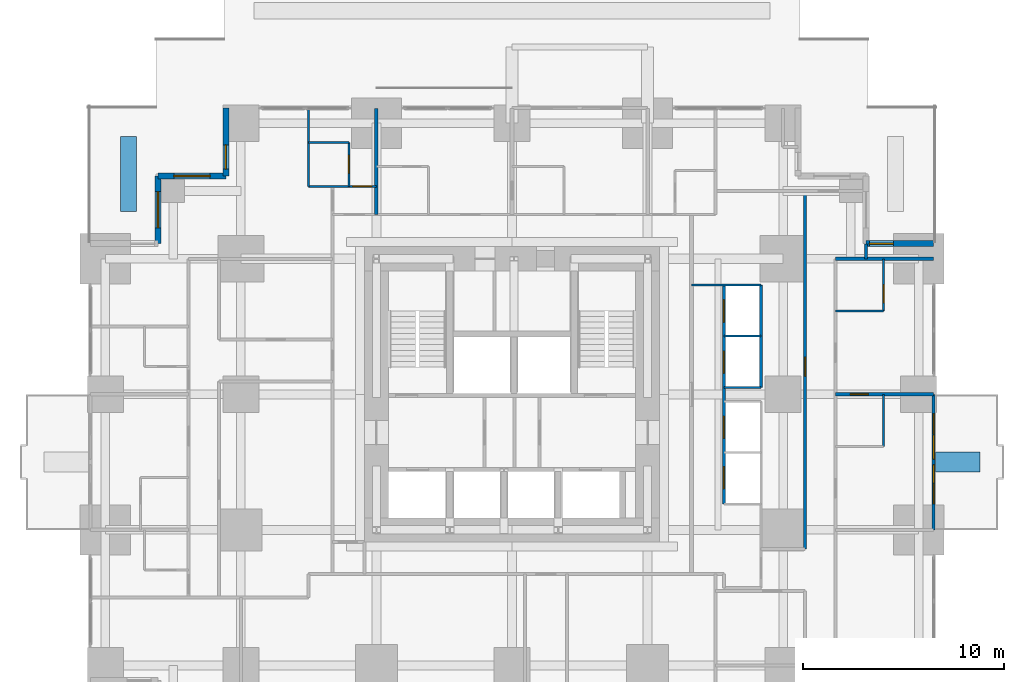
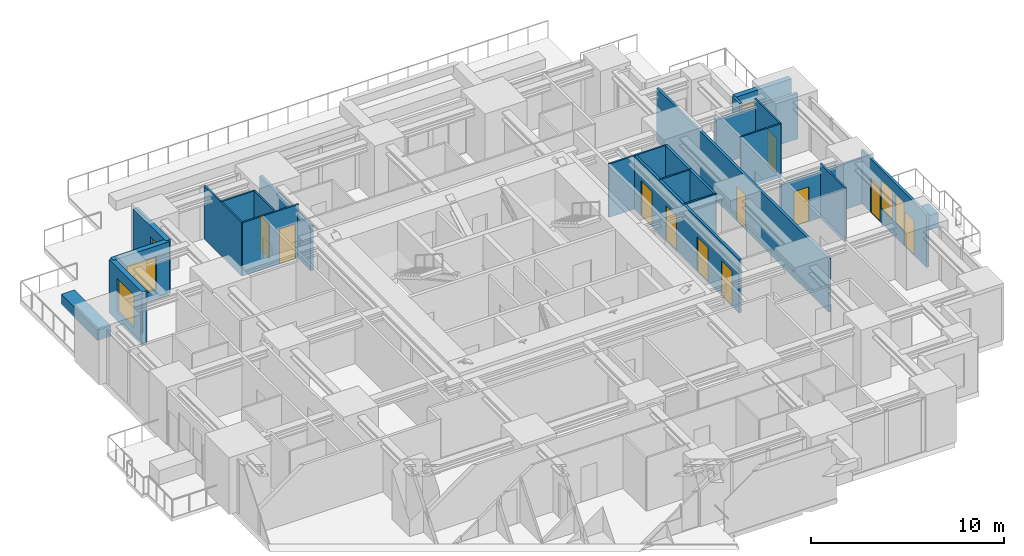
# One storey, part 9 of 12: 24 walls, 11 doors, 6 windows, 17 openings.
"""IFC4 building model written with IfcOpenShell, lengths in metres."""

from ifc_helpers import new_model, si_unit, direction, frame, frame_2d, origin, place, context, subcontext, project, spatial, rectangle, extrude, material, layer, layer_set, type_object, element, fill, save


model = new_model("IFC4")

# Units and contexts
model_context = context("Model", 3, precision=1e-05, world=origin(), true_north=direction((0.0, 1.0)))
body_context = subcontext(model_context, "Body", "Model", "MODEL_VIEW")
ifc_project = project(units=[si_unit("LENGTHUNIT", "METRE"), si_unit("AREAUNIT", "SQUARE_METRE"), si_unit("VOLUMEUNIT", "CUBIC_METRE"), si_unit("PLANEANGLEUNIT", "RADIAN"), si_unit("MASSUNIT", "GRAM", prefix="KILO")], contexts=[model_context])

# Site, building, storey
site_placement = place(None, origin())
site = spatial("IfcSite", under=ifc_project, at=site_placement, CompositionType="ELEMENT")
building_placement = place(site_placement, origin())
building = spatial("IfcBuilding", under=site, at=building_placement, Name="Nyansa Garden Tower", CompositionType="ELEMENT")
storey_placement = place(building_placement, frame((0.0, 0.0, 80.10009765625)))
storey = spatial("IfcBuildingStorey", under=building, at=storey_placement, Name="L21", CompositionType="ELEMENT", Elevation=80.10009765625)

# Wall
ifc_material_1 = material(Name="Dense blockwork, plastered both sides, 55 dB", Category="masonry")
ifc_layer_1 = layer(ifc_material_1, 0.175048828125)
ifc_layer_set_1 = layer_set([ifc_layer_1], Name="Acoustic party wall PW175")
wall_type_1 = type_object("IfcWallType", Name="Acoustic party wall PW175", PredefinedType="PARTITIONING", material=ifc_layer_set_1)
wall_1_placement = place(storey_placement, frame((13.5, 29.199951171875, 0.0), z_axis=(0.0, 0.0, 1.0), x_axis=(0.0, 1.0, 0.0)))
element("IfcWall", 1, at=wall_1_placement, inside=storey, type_object=wall_type_1, Name="Party wall", PredefinedType="PARTITIONING", context=body_context, shape_type="SweptSolid", body=[
    extrude(rectangle(XDim=5.283935546875, YDim=0.175048828125, at=frame_2d((2.64208984375, 0.0))), origin(), (0.0, 0.0, 1.0), 2.805908203125),
])

# Wall, opening, door
wall_2_placement = place(storey_placement, frame((36.35009765625, 20.25, 0.0), z_axis=(0.0, 0.0, 1.0), x_axis=(1.0, 0.0, 0.0)))
wall_2 = element("IfcWall", 2, at=wall_2_placement, inside=storey, type_object=wall_type_1, Name="Party wall", PredefinedType="PARTITIONING", context=body_context, shape_type="SweptSolid", body=[
    extrude(rectangle(XDim=4.8837890625, YDim=0.175048828125, at=frame_2d((2.44189453125, 0.0))), origin(), (0.0, 0.0, 1.0), 2.876953125),
])
opening_1_placement = place(wall_2_placement, frame((0.75, 0.0, 0.0)))
opening_1 = element("IfcOpeningElement", 3, at=opening_1_placement, cuts=wall_2, Name="Opening D02", PredefinedType="OPENING", context=body_context, shape_type="SweptSolid", body=[
    extrude(rectangle(XDim=0.89990234375, YDim=2.199951171875, at=frame_2d((0.449951171875, 1.10009765625))), frame((0.0, 0.097412109375, 0.0), z_axis=(0.0, -1.0, 0.0), x_axis=(1.0, 0.0, 0.0)), (0.0, 0.0, 1.0), 0.195068359375),
])
ifc_material_2 = material(Name="Timber flush door", Category="wood")
door_type_1 = type_object("IfcDoorType", Name="En-suite door D02 900x2200", OperationType="SINGLE_SWING_RIGHT", PredefinedType="DOOR", material=ifc_material_2)
door_1_placement = place(opening_1_placement, origin())
door_1 = element("IfcDoor", 4, at=door_1_placement, inside=storey, type_object=door_type_1, Name="Door L21-034", OperationType="SINGLE_SWING_RIGHT", OverallHeight=2.199951171875, OverallWidth=0.89990234375, PredefinedType="DOOR", context=body_context, shape_type="SweptSolid", body=[
    extrude(rectangle(XDim=0.89990234375, YDim=2.199951171875, at=frame_2d((0.449951171875, 1.10009765625))), frame((0.0, 0.02490234375, 0.0), z_axis=(0.0, -1.0, 0.0), x_axis=(1.0, 0.0, 0.0)), (0.0, 0.0, 1.0), 0.050048828125),
])
fill(opening_1, door_1)

# Wall
wall_3_placement = place(storey_placement, frame((36.35009765625, 27.0, 0.0), z_axis=(0.0, 0.0, 1.0), x_axis=(1.0, 0.0, 0.0)))
element("IfcWall", 5, at=wall_3_placement, inside=storey, type_object=wall_type_1, Name="Party wall", PredefinedType="PARTITIONING", context=body_context, shape_type="SweptSolid", body=[
    extrude(rectangle(XDim=4.8837890625, YDim=0.175048828125, at=frame_2d((2.44189453125, 0.0))), origin(), (0.0, 0.0, 1.0), 2.876953125),
])

# Wall, openings, doors, windows
ifc_material_3 = material(Name="Black aluminium framed glazed screen", Category="aluminium")
ifc_layer_2 = layer(ifc_material_3, 0.14990234375)
ifc_layer_set_2 = layer_set([ifc_layer_2], Name="Balcony screen wall BW150")
wall_type_2 = type_object("IfcWallType", Name="Balcony screen wall BW150", PredefinedType="SOLIDWALL", material=ifc_layer_set_2)
wall_4_placement = place(storey_placement, frame((41.25, 20.25, 0.0), z_axis=(0.0, 0.0, 1.0), x_axis=(0.0, -1.0, 0.0)))
wall_4 = element("IfcWall", 6, at=wall_4_placement, inside=storey, type_object=wall_type_2, Name="Glazed screen wall L21 E", PredefinedType="SOLIDWALL", context=body_context, shape_type="SweptSolid", body=[
    extrude(rectangle(XDim=6.75, YDim=0.14990234375, at=frame_2d((3.375, 0.0))), origin(), (0.0, 0.0, 1.0), 3.375),
])
opening_2_placement = place(wall_4_placement, frame((0.96240234375, 0.0, 0.0)))
opening_2 = element("IfcOpeningElement", 7, at=opening_2_placement, cuts=wall_4, Name="Opening D20", PredefinedType="OPENING", context=body_context, shape_type="SweptSolid", body=[
    extrude(rectangle(XDim=1.0, YDim=2.199951171875, at=frame_2d((0.5, 1.10009765625))), frame((0.0, 0.0849609375, 0.0), z_axis=(0.0, -1.0, 0.0), x_axis=(1.0, 0.0, 0.0)), (0.0, 0.0, 1.0), 0.169921875),
])
opening_3_placement = place(wall_4_placement, frame((2.02490234375, 0.0, 0.89990234375)))
opening_3 = element("IfcOpeningElement", 8, at=opening_3_placement, cuts=wall_4, Name="Opening W6", PredefinedType="OPENING", context=body_context, shape_type="SweptSolid", body=[
    extrude(rectangle(XDim=1.199951171875, YDim=1.800048828125, at=frame_2d((0.60009765625, 0.89990234375))), frame((0.0, 0.0849609375, 0.0), z_axis=(0.0, -1.0, 0.0), x_axis=(1.0, 0.0, 0.0)), (0.0, 0.0, 1.0), 0.169921875),
])
opening_4_placement = place(wall_4_placement, frame((4.4541015625, 0.0, 0.0)))
opening_4 = element("IfcOpeningElement", 9, at=opening_4_placement, cuts=wall_4, Name="Opening D20", PredefinedType="OPENING", context=body_context, shape_type="SweptSolid", body=[
    extrude(rectangle(XDim=1.0, YDim=2.199951171875, at=frame_2d((0.5, 1.10009765625))), frame((0.0, 0.0849609375, 0.0), z_axis=(0.0, -1.0, 0.0), x_axis=(1.0, 0.0, 0.0)), (0.0, 0.0, 1.0), 0.169921875),
])
opening_5_placement = place(wall_4_placement, frame((3.50830078125, 0.0, 0.89990234375)))
opening_5 = element("IfcOpeningElement", 10, at=opening_5_placement, cuts=wall_4, Name="Opening W7", PredefinedType="OPENING", context=body_context, shape_type="SweptSolid", body=[
    extrude(rectangle(XDim=0.89990234375, YDim=1.800048828125, at=frame_2d((0.449951171875, 0.89990234375))), frame((0.0, 0.0849609375, 0.0), z_axis=(0.0, -1.0, 0.0), x_axis=(1.0, 0.0, 0.0)), (0.0, 0.0, 1.0), 0.169921875),
])
ifc_material_4 = material(Name="Black aluminium framed glazed door", Category="aluminium")
door_type_2 = type_object("IfcDoorType", Name="Balcony door D20 1000x2200", OperationType="NOTDEFINED", PredefinedType="DOOR", material=ifc_material_4)
door_2_placement = place(opening_2_placement, origin())
door_2 = element("IfcDoor", 11, at=door_2_placement, inside=storey, type_object=door_type_2, Name="Balcony door L21", OperationType="SINGLE_SWING_LEFT", OverallHeight=2.199951171875, OverallWidth=1.0, PredefinedType="DOOR", context=body_context, shape_type="SweptSolid", body=[
    extrude(rectangle(XDim=1.0, YDim=2.199951171875, at=frame_2d((0.5, 1.10009765625))), frame((0.0, 0.02490234375, 0.0), z_axis=(0.0, -1.0, 0.0), x_axis=(1.0, 0.0, 0.0)), (0.0, 0.0, 1.0), 0.050048828125),
])
fill(opening_2, door_2)
door_3_placement = place(opening_4_placement, origin())
door_3 = element("IfcDoor", 12, at=door_3_placement, inside=storey, type_object=door_type_2, Name="Balcony door L21", OperationType="SINGLE_SWING_RIGHT", OverallHeight=2.199951171875, OverallWidth=1.0, PredefinedType="DOOR", context=body_context, shape_type="SweptSolid", body=[
    extrude(rectangle(XDim=1.0, YDim=2.199951171875, at=frame_2d((0.5, 1.10009765625))), frame((0.0, 0.02490234375, 0.0), z_axis=(0.0, -1.0, 0.0), x_axis=(1.0, 0.0, 0.0)), (0.0, 0.0, 1.0), 0.050048828125),
])
fill(opening_4, door_3)
ifc_material_5 = material(Name="Black aluminium frame, dark tinted double glazing", Category="aluminium")
window_type_1 = type_object("IfcWindowType", Name="Balcony window W6 1200x1800", PartitioningType="SINGLE_PANEL", PredefinedType="WINDOW", material=ifc_material_5)
window_1_placement = place(opening_3_placement, origin())
window_1 = element("IfcWindow", 13, at=window_1_placement, inside=storey, type_object=window_type_1, Name="Window L21", OverallHeight=1.800048828125, OverallWidth=1.199951171875, PartitioningType="SINGLE_PANEL", PredefinedType="WINDOW", context=body_context, shape_type="SweptSolid", body=[
    extrude(rectangle(XDim=1.199951171875, YDim=1.800048828125, at=frame_2d((0.60009765625, 0.89990234375))), frame((0.0, 0.030029296875, 0.0), z_axis=(0.0, -1.0, 0.0), x_axis=(1.0, 0.0, 0.0)), (0.0, 0.0, 1.0), 0.06005859375),
])
fill(opening_3, window_1)
ifc_material_6 = material(Name="Black aluminium frame, dark tinted double glazing", Category="aluminium")
window_type_2 = type_object("IfcWindowType", Name="Balcony window W7 900x1800", PartitioningType="SINGLE_PANEL", PredefinedType="WINDOW", material=ifc_material_6)
window_2_placement = place(opening_5_placement, origin())
window_2 = element("IfcWindow", 14, at=window_2_placement, inside=storey, type_object=window_type_2, Name="Window L21", OverallHeight=1.800048828125, OverallWidth=0.89990234375, PartitioningType="SINGLE_PANEL", PredefinedType="WINDOW", context=body_context, shape_type="SweptSolid", body=[
    extrude(rectangle(XDim=0.89990234375, YDim=1.800048828125, at=frame_2d((0.449951171875, 0.89990234375))), frame((0.0, 0.030029296875, 0.0), z_axis=(0.0, -1.0, 0.0), x_axis=(1.0, 0.0, 0.0)), (0.0, 0.0, 1.0), 0.06005859375),
])
fill(opening_5, window_2)

# Walls
ifc_material_7 = material(Name="Steel-stud shaft wall, two layers fire-rated board, EI 120", Category="steel")
ifc_layer_3 = layer(ifc_material_7, 0.10009765625)
ifc_layer_set_3 = layer_set([ifc_layer_3], Name="Lift shaft wall SW100")
wall_type_3 = type_object("IfcWallType", Name="Lift shaft wall SW100", PredefinedType="SHEAR", material=ifc_layer_set_3)
wall_5_placement = place(storey_placement, frame((29.199951171875, 25.699951171875, 0.0), z_axis=(0.0, 0.0, 1.0), x_axis=(1.0, 0.0, 0.0)))
element("IfcWall", 15, at=wall_5_placement, inside=storey, type_object=wall_type_3, Name="Lift shaft wall", PredefinedType="SHEAR", context=body_context, shape_type="SweptSolid", body=[
    extrude(rectangle(XDim=3.449951171875, YDim=0.10009765625, at=frame_2d((1.72509765625, 0.0))), origin(), (0.0, 0.0, 1.0), 3.375),
])
for number, where, z_axis, x_axis, name in (
    (16, (30.800048828125, 20.60009765625, 0.0), (0.0, 0.0, 1.0), (1.0, 0.0, 0.0), "Lift shaft wall"),
    (17, (30.800048828125, 23.14990234375, 0.0), (0.0, 0.0, 1.0), (1.0, 0.0, 0.0), "Lift shaft wall"),
):
    element("IfcWall", number, at=place(storey_placement, frame(where, z_axis=z_axis, x_axis=x_axis)), inside=storey, type_object=wall_type_3, Name=name, PredefinedType="SHEAR", context=body_context, shape_type="SweptSolid", body=[
        extrude(rectangle(XDim=1.849853515625, YDim=0.10009765625, at=frame_2d((0.9248046875, 0.0))), origin(), (0.0, 0.0, 1.0), 3.375),
    ])

# Wall, openings, doors
ifc_material_8 = material(Name="Blockwork, plastered both sides", Category="masonry")
ifc_layer_4 = layer(ifc_material_8, 0.14990234375)
ifc_layer_set_4 = layer_set([ifc_layer_4], Name="Partition PW150")
wall_type_4 = type_object("IfcWallType", Name="Partition PW150", PredefinedType="PARTITIONING", material=ifc_layer_set_4)
wall_6_placement = place(storey_placement, frame((30.800048828125, 14.800048828125, 0.0), z_axis=(0.0, 0.0, 1.0), x_axis=(0.0, 1.0, 0.0)))
wall_6 = element("IfcWall", 18, at=wall_6_placement, inside=storey, type_object=wall_type_4, Name="Partition", PredefinedType="PARTITIONING", context=body_context, shape_type="SweptSolid", body=[
    extrude(rectangle(XDim=10.89990234375, YDim=0.14990234375, at=frame_2d((5.449951171875, 0.0))), origin(), (0.0, 0.0, 1.0), 3.375),
])
opening_6_placement = place(wall_6_placement, frame((0.75, 0.0, 0.0)))
opening_6 = element("IfcOpeningElement", 19, at=opening_6_placement, cuts=wall_6, Name="Opening LD-A", PredefinedType="OPENING", context=body_context, shape_type="SweptSolid", body=[
    extrude(rectangle(XDim=1.10009765625, YDim=2.199951171875, at=frame_2d((0.550048828125, 1.10009765625))), frame((0.0, 0.0849609375, 0.0), z_axis=(0.0, -1.0, 0.0), x_axis=(1.0, 0.0, 0.0)), (0.0, 0.0, 1.0), 0.169921875),
])
opening_7_placement = place(wall_6_placement, frame((3.25, 0.0, 0.0)))
opening_7 = element("IfcOpeningElement", 20, at=opening_7_placement, cuts=wall_6, Name="Opening LD-A", PredefinedType="OPENING", context=body_context, shape_type="SweptSolid", body=[
    extrude(rectangle(XDim=1.10009765625, YDim=2.199951171875, at=frame_2d((0.550048828125, 1.10009765625))), frame((0.0, 0.0849609375, 0.0), z_axis=(0.0, -1.0, 0.0), x_axis=(1.0, 0.0, 0.0)), (0.0, 0.0, 1.0), 0.169921875),
])
opening_8_placement = place(wall_6_placement, frame((6.5, 0.0, 0.0)))
opening_8 = element("IfcOpeningElement", 21, at=opening_8_placement, cuts=wall_6, Name="Opening LD-A", PredefinedType="OPENING", context=body_context, shape_type="SweptSolid", body=[
    extrude(rectangle(XDim=1.10009765625, YDim=2.199951171875, at=frame_2d((0.550048828125, 1.10009765625))), frame((0.0, 0.0849609375, 0.0), z_axis=(0.0, -1.0, 0.0), x_axis=(1.0, 0.0, 0.0)), (0.0, 0.0, 1.0), 0.169921875),
])
opening_9_placement = place(wall_6_placement, frame((9.050048828125, 0.0, 0.0)))
opening_9 = element("IfcOpeningElement", 22, at=opening_9_placement, cuts=wall_6, Name="Opening LD-A", PredefinedType="OPENING", context=body_context, shape_type="SweptSolid", body=[
    extrude(rectangle(XDim=1.10009765625, YDim=2.199951171875, at=frame_2d((0.550048828125, 1.10009765625))), frame((0.0, 0.0849609375, 0.0), z_axis=(0.0, -1.0, 0.0), x_axis=(1.0, 0.0, 0.0)), (0.0, 0.0, 1.0), 0.169921875),
])
ifc_material_9 = material(Name="Stainless steel centre-opening landing door of the low-rise lift, E 120", Category="steel")
door_type_3 = type_object("IfcDoorType", Name="Lift landing door LD-A 1100x2200", OperationType="DOUBLE_DOOR_SLIDING", PredefinedType="DOOR", material=ifc_material_9)
door_4_placement = place(opening_6_placement, origin())
door_4 = element("IfcDoor", 23, at=door_4_placement, inside=storey, type_object=door_type_3, Name="Landing door A1", OperationType="DOUBLE_DOOR_SLIDING", OverallHeight=2.199951171875, OverallWidth=1.10009765625, PredefinedType="DOOR", context=body_context, shape_type="SweptSolid", body=[
    extrude(rectangle(XDim=1.10009765625, YDim=2.199951171875, at=frame_2d((0.550048828125, 1.10009765625))), frame((0.0, 0.02490234375, 0.0), z_axis=(0.0, -1.0, 0.0), x_axis=(1.0, 0.0, 0.0)), (0.0, 0.0, 1.0), 0.050048828125),
])
fill(opening_6, door_4)
door_5_placement = place(opening_7_placement, origin())
door_5 = element("IfcDoor", 24, at=door_5_placement, inside=storey, type_object=door_type_3, Name="Landing door A2", OperationType="DOUBLE_DOOR_SLIDING", OverallHeight=2.199951171875, OverallWidth=1.10009765625, PredefinedType="DOOR", context=body_context, shape_type="SweptSolid", body=[
    extrude(rectangle(XDim=1.10009765625, YDim=2.199951171875, at=frame_2d((0.550048828125, 1.10009765625))), frame((0.0, 0.02490234375, 0.0), z_axis=(0.0, -1.0, 0.0), x_axis=(1.0, 0.0, 0.0)), (0.0, 0.0, 1.0), 0.050048828125),
])
fill(opening_7, door_5)
door_6_placement = place(opening_8_placement, origin())
door_6 = element("IfcDoor", 25, at=door_6_placement, inside=storey, type_object=door_type_3, Name="Landing door A3", OperationType="DOUBLE_DOOR_SLIDING", OverallHeight=2.199951171875, OverallWidth=1.10009765625, PredefinedType="DOOR", context=body_context, shape_type="SweptSolid", body=[
    extrude(rectangle(XDim=1.10009765625, YDim=2.199951171875, at=frame_2d((0.550048828125, 1.10009765625))), frame((0.0, 0.02490234375, 0.0), z_axis=(0.0, -1.0, 0.0), x_axis=(1.0, 0.0, 0.0)), (0.0, 0.0, 1.0), 0.050048828125),
])
fill(opening_8, door_6)
door_7_placement = place(opening_9_placement, origin())
door_7 = element("IfcDoor", 26, at=door_7_placement, inside=storey, type_object=door_type_3, Name="Landing door A4", OperationType="DOUBLE_DOOR_SLIDING", OverallHeight=2.199951171875, OverallWidth=1.10009765625, PredefinedType="DOOR", context=body_context, shape_type="SweptSolid", body=[
    extrude(rectangle(XDim=1.10009765625, YDim=2.199951171875, at=frame_2d((0.550048828125, 1.10009765625))), frame((0.0, 0.02490234375, 0.0), z_axis=(0.0, -1.0, 0.0), x_axis=(1.0, 0.0, 0.0)), (0.0, 0.0, 1.0), 0.050048828125),
])
fill(opening_9, door_7)

# Wall
wall_7_placement = place(storey_placement, frame((32.64990234375, 20.60009765625, 0.0), z_axis=(0.0, 0.0, 1.0), x_axis=(0.0, 1.0, 0.0)))
element("IfcWall", 27, at=wall_7_placement, inside=storey, type_object=wall_type_4, Name="Partition", PredefinedType="PARTITIONING", context=body_context, shape_type="SweptSolid", body=[
    extrude(rectangle(XDim=5.099853515625, YDim=0.14990234375, at=frame_2d((2.5498046875, 0.0))), origin(), (0.0, 0.0, 1.0), 3.375),
])

# Wall, opening, door
wall_8_placement = place(storey_placement, frame((34.85009765625, 12.550048828125, 0.0), z_axis=(0.0, 0.0, 1.0), x_axis=(0.0, 1.0, 0.0)))
wall_8 = element("IfcWall", 28, at=wall_8_placement, inside=storey, type_object=wall_type_4, Name="Partition", PredefinedType="PARTITIONING", context=body_context, shape_type="SweptSolid", body=[
    extrude(rectangle(XDim=17.824951171875, YDim=0.14990234375, at=frame_2d((8.91259765625, 0.0))), origin(), (0.0, 0.0, 1.0), 3.375),
])
opening_10_placement = place(wall_8_placement, frame((8.60009765625, 0.0, 0.0)))
opening_10 = element("IfcOpeningElement", 29, at=opening_10_placement, cuts=wall_8, Name="Opening D01", PredefinedType="OPENING", context=body_context, shape_type="SweptSolid", body=[
    extrude(rectangle(XDim=0.949951171875, YDim=2.199951171875, at=frame_2d((0.47509765625, 1.10009765625))), frame((0.0, 0.0849609375, 0.0), z_axis=(0.0, -1.0, 0.0), x_axis=(1.0, 0.0, 0.0)), (0.0, 0.0, 1.0), 0.169921875),
])
ifc_material_10 = material(Name="Timber flush door, 30 minute fire resisting", Category="wood")
door_type_4 = type_object("IfcDoorType", Name="Bedroom door D01 950x2200", OperationType="SINGLE_SWING_LEFT", PredefinedType="DOOR", material=ifc_material_10)
door_8_placement = place(opening_10_placement, origin())
door_8 = element("IfcDoor", 30, at=door_8_placement, inside=storey, type_object=door_type_4, Name="Door L21-036", OperationType="SINGLE_SWING_LEFT", OverallHeight=2.199951171875, OverallWidth=0.949951171875, PredefinedType="DOOR", context=body_context, shape_type="SweptSolid", body=[
    extrude(rectangle(XDim=0.949951171875, YDim=2.199951171875, at=frame_2d((0.47509765625, 1.10009765625))), frame((0.0, 0.02490234375, 0.0), z_axis=(0.0, -1.0, 0.0), x_axis=(1.0, 0.0, 0.0)), (0.0, 0.0, 1.0), 0.050048828125),
])
fill(opening_10, door_8)

# Walls
wall_9_placement = place(storey_placement, frame((37.875, 27.0, 0.0), z_axis=(0.0, 0.0, 1.0), x_axis=(0.0, 1.0, 0.0)))
element("IfcWall", 31, at=wall_9_placement, inside=storey, type_object=wall_type_4, Name="Partition", PredefinedType="PARTITIONING", context=body_context, shape_type="SweptSolid", body=[
    extrude(rectangle(XDim=0.73388671875, YDim=0.14990234375, at=frame_2d((0.366943359375, 0.0))), origin(), (0.0, 0.0, 1.0), 3.375),
])
ifc_material_11 = material(Name="Concrete C40/50 planter, waterproofed", Category="concrete")
ifc_layer_5 = layer(ifc_material_11, 0.800048828125)
ifc_layer_set_5 = layer_set([ifc_layer_5], Name="Terrace planter TP2")
wall_type_5 = type_object("IfcWallType", Name="Terrace planter TP2", PredefinedType="USERDEFINED", material=ifc_layer_set_5)
wall_10_placement = place(storey_placement, frame((1.14990234375, 29.35009765625, -0.06005859375), z_axis=(0.0, 0.0, 1.0), x_axis=(0.0, 1.0, 0.0)))
element("IfcWall", 32, at=wall_10_placement, inside=storey, type_object=wall_type_5, Name="Terrace planter L21", ObjectType="TERRACE PLANTER", PredefinedType="USERDEFINED", context=body_context, shape_type="SweptSolid", body=[
    extrude(rectangle(XDim=3.75, YDim=0.800048828125, at=frame_2d((1.875, 0.0))), origin(), (0.0, 0.0, 1.0), 0.659912109375),
])

# Wall, opening, window
ifc_material_12 = material(Name="Turquoise glazed tile on concrete blockwork", Category="masonry")
ifc_layer_6 = layer(ifc_material_12, 0.300048828125)
ifc_layer_set_6 = layer_set([ifc_layer_6], Name="Tiled corner wall TW300")
wall_type_6 = type_object("IfcWallType", Name="Tiled corner wall TW300", PredefinedType="SOLIDWALL", material=ifc_layer_set_6)
wall_11_placement = place(storey_placement, frame((41.25, 27.75, 0.0), z_axis=(0.0, 0.0, 1.0), x_axis=(-1.0, 0.0, 0.0)))
wall_11 = element("IfcWall", 33, at=wall_11_placement, inside=storey, type_object=wall_type_6, Name="Tiled corner wall L21", PredefinedType="SOLIDWALL", context=body_context, shape_type="SweptSolid", body=[
    extrude(rectangle(XDim=3.375, YDim=0.300048828125, at=frame_2d((1.6875, 0.0))), origin(), (0.0, 0.0, 1.0), 3.375),
])
opening_11_placement = place(wall_11_placement, frame((2.007568359375, 0.0, 0.89990234375)))
opening_11 = element("IfcOpeningElement", 34, at=opening_11_placement, cuts=wall_11, Name="Opening W4", PredefinedType="OPENING", context=body_context, shape_type="SweptSolid", body=[
    extrude(rectangle(XDim=1.199951171875, YDim=1.800048828125, at=frame_2d((0.60009765625, 0.89990234375))), frame((0.0, 0.159912109375, 0.0), z_axis=(0.0, -1.0, 0.0), x_axis=(1.0, 0.0, 0.0)), (0.0, 0.0, 1.0), 0.320068359375),
])
ifc_material_13 = material(Name="Black aluminium frame, dark tinted double glazing", Category="aluminium")
window_type_3 = type_object("IfcWindowType", Name="Window W4 1200x1800", PartitioningType="SINGLE_PANEL", PredefinedType="WINDOW", material=ifc_material_13)
window_3_placement = place(opening_11_placement, origin())
window_3 = element("IfcWindow", 35, at=window_3_placement, inside=storey, type_object=window_type_3, Name="Corner window L21", OverallHeight=1.800048828125, OverallWidth=1.199951171875, PartitioningType="SINGLE_PANEL", PredefinedType="WINDOW", context=body_context, shape_type="SweptSolid", body=[
    extrude(rectangle(XDim=1.199951171875, YDim=1.800048828125, at=frame_2d((0.60009765625, 0.89990234375))), frame((0.0, 0.030029296875, 0.0), z_axis=(0.0, -1.0, 0.0), x_axis=(1.0, 0.0, 0.0)), (0.0, 0.0, 1.0), 0.06005859375),
])
fill(opening_11, window_3)

wall_12_placement = place(storey_placement, frame((6.0, 34.5, 0.0), z_axis=(0.0, 0.0, 1.0), x_axis=(0.0, -1.0, 0.0)))
wall_12 = element("IfcWall", 36, at=wall_12_placement, inside=storey, type_object=wall_type_6, Name="Tiled corner wall L21", PredefinedType="SOLIDWALL", context=body_context, shape_type="SweptSolid", body=[
    extrude(rectangle(XDim=3.375, YDim=0.300048828125, at=frame_2d((1.6875, 0.0))), origin(), (0.0, 0.0, 1.0), 3.375),
])
opening_12_placement = place(wall_12_placement, frame((1.83251953125, 0.0, 0.89990234375)))
opening_12 = element("IfcOpeningElement", 37, at=opening_12_placement, cuts=wall_12, Name="Opening W4", PredefinedType="OPENING", context=body_context, shape_type="SweptSolid", body=[
    extrude(rectangle(XDim=1.199951171875, YDim=1.800048828125, at=frame_2d((0.60009765625, 0.89990234375))), frame((0.0, 0.159912109375, 0.0), z_axis=(0.0, -1.0, 0.0), x_axis=(1.0, 0.0, 0.0)), (0.0, 0.0, 1.0), 0.320068359375),
])
window_4_placement = place(opening_12_placement, origin())
window_4 = element("IfcWindow", 38, at=window_4_placement, inside=storey, type_object=window_type_3, Name="Corner window L21", OverallHeight=1.800048828125, OverallWidth=1.199951171875, PartitioningType="SINGLE_PANEL", PredefinedType="WINDOW", context=body_context, shape_type="SweptSolid", body=[
    extrude(rectangle(XDim=1.199951171875, YDim=1.800048828125, at=frame_2d((0.60009765625, 0.89990234375))), frame((0.0, 0.030029296875, 0.0), z_axis=(0.0, -1.0, 0.0), x_axis=(1.0, 0.0, 0.0)), (0.0, 0.0, 1.0), 0.06005859375),
])
fill(opening_12, window_4)

wall_13_placement = place(storey_placement, frame((6.0, 31.125, 0.0), z_axis=(0.0, 0.0, 1.0), x_axis=(-1.0, 0.0, 0.0)))
wall_13 = element("IfcWall", 39, at=wall_13_placement, inside=storey, type_object=wall_type_6, Name="Tiled corner wall L21", PredefinedType="SOLIDWALL", context=body_context, shape_type="SweptSolid", body=[
    extrude(rectangle(XDim=3.375, YDim=0.300048828125, at=frame_2d((1.6875, 0.0))), origin(), (0.0, 0.0, 1.0), 3.375),
])
opening_13_placement = place(wall_13_placement, frame((0.78759765625, 0.0, 0.60009765625)))
opening_13 = element("IfcOpeningElement", 40, at=opening_13_placement, cuts=wall_13, Name="Opening W2", PredefinedType="OPENING", context=body_context, shape_type="SweptSolid", body=[
    extrude(rectangle(XDim=1.800048828125, YDim=2.10009765625, at=frame_2d((0.89990234375, 1.050048828125))), frame((0.0, 0.159912109375, 0.0), z_axis=(0.0, -1.0, 0.0), x_axis=(1.0, 0.0, 0.0)), (0.0, 0.0, 1.0), 0.320068359375),
])
ifc_material_14 = material(Name="Black aluminium frame, dark tinted double glazing", Category="aluminium")
window_type_4 = type_object("IfcWindowType", Name="Window W2 1800x2100", PartitioningType="SINGLE_PANEL", PredefinedType="WINDOW", material=ifc_material_14)
window_5_placement = place(opening_13_placement, origin())
window_5 = element("IfcWindow", 41, at=window_5_placement, inside=storey, type_object=window_type_4, Name="Corner window L21", OverallHeight=2.10009765625, OverallWidth=1.800048828125, PartitioningType="SINGLE_PANEL", PredefinedType="WINDOW", context=body_context, shape_type="SweptSolid", body=[
    extrude(rectangle(XDim=1.800048828125, YDim=2.10009765625, at=frame_2d((0.89990234375, 1.050048828125))), frame((0.0, 0.030029296875, 0.0), z_axis=(0.0, -1.0, 0.0), x_axis=(1.0, 0.0, 0.0)), (0.0, 0.0, 1.0), 0.06005859375),
])
fill(opening_13, window_5)

wall_14_placement = place(storey_placement, frame((2.625, 31.125, 0.0), z_axis=(0.0, 0.0, 1.0), x_axis=(0.0, -1.0, 0.0)))
wall_14 = element("IfcWall", 42, at=wall_14_placement, inside=storey, type_object=wall_type_6, Name="Tiled corner wall L21", PredefinedType="SOLIDWALL", context=body_context, shape_type="SweptSolid", body=[
    extrude(rectangle(XDim=3.375, YDim=0.300048828125, at=frame_2d((1.6875, 0.0))), origin(), (0.0, 0.0, 1.0), 3.375),
])
opening_14_placement = place(wall_14_placement, frame((0.78759765625, 0.0, 0.60009765625)))
opening_14 = element("IfcOpeningElement", 43, at=opening_14_placement, cuts=wall_14, Name="Opening W2", PredefinedType="OPENING", context=body_context, shape_type="SweptSolid", body=[
    extrude(rectangle(XDim=1.800048828125, YDim=2.10009765625, at=frame_2d((0.89990234375, 1.050048828125))), frame((0.0, 0.159912109375, 0.0), z_axis=(0.0, -1.0, 0.0), x_axis=(1.0, 0.0, 0.0)), (0.0, 0.0, 1.0), 0.320068359375),
])
window_6_placement = place(opening_14_placement, origin())
window_6 = element("IfcWindow", 44, at=window_6_placement, inside=storey, type_object=window_type_4, Name="Corner window L21", OverallHeight=2.10009765625, OverallWidth=1.800048828125, PartitioningType="SINGLE_PANEL", PredefinedType="WINDOW", context=body_context, shape_type="SweptSolid", body=[
    extrude(rectangle(XDim=1.800048828125, YDim=2.10009765625, at=frame_2d((0.89990234375, 1.050048828125))), frame((0.0, 0.030029296875, 0.0), z_axis=(0.0, -1.0, 0.0), x_axis=(1.0, 0.0, 0.0)), (0.0, 0.0, 1.0), 0.06005859375),
])
fill(opening_14, window_6)

# Walls
ifc_material_15 = material(Name="Concrete C40/50 planter, waterproofed", Category="concrete")
ifc_layer_7 = layer(ifc_material_15, 1.0)
ifc_layer_set_7 = layer_set([ifc_layer_7], Name="Tree planter TP1")
wall_type_7 = type_object("IfcWallType", Name="Tree planter TP1", PredefinedType="USERDEFINED", material=ifc_layer_set_7)
wall_15_placement = place(storey_placement, frame((41.35009765625, 16.875, 0.0), z_axis=(0.0, 0.0, 1.0), x_axis=(1.0, 0.0, 0.0)))
element("IfcWall", 45, at=wall_15_placement, inside=storey, type_object=wall_type_7, Name="Tree planter L21", ObjectType="TREE PLANTER", PredefinedType="USERDEFINED", context=body_context, shape_type="SweptSolid", body=[
    extrude(rectangle(XDim=2.199951171875, YDim=1.0, at=frame_2d((1.10009765625, 0.0))), origin(), (0.0, 0.0, 1.0), 0.89990234375),
])
ifc_material_16 = material(Name="Moisture resistant board on steel studs, tiled", Category="steel")
ifc_layer_8 = layer(ifc_material_16, 0.10009765625)
ifc_layer_set_8 = layer_set([ifc_layer_8], Name="Wet wall PW100")
wall_type_8 = type_object("IfcWallType", Name="Wet wall PW100", PredefinedType="PARTITIONING", material=ifc_layer_set_8)
wall_16_placement = place(storey_placement, frame((10.125, 30.60009765625, 0.0), z_axis=(0.0, 0.0, 1.0), x_axis=(0.0, 1.0, 0.0)))
element("IfcWall", 46, at=wall_16_placement, inside=storey, type_object=wall_type_8, Name="Wet wall", PredefinedType="PARTITIONING", context=body_context, shape_type="SweptSolid", body=[
    extrude(rectangle(XDim=3.8837890625, YDim=0.10009765625, at=frame_2d((1.94189453125, 0.0))), origin(), (0.0, 0.0, 1.0), 3.375),
])

# Wall, opening, door
wall_17_placement = place(storey_placement, frame((10.125, 30.60009765625, 0.0), z_axis=(0.0, 0.0, 1.0), x_axis=(1.0, 0.0, 0.0)))
wall_17 = element("IfcWall", 47, at=wall_17_placement, inside=storey, type_object=wall_type_8, Name="Wet wall", PredefinedType="PARTITIONING", context=body_context, shape_type="SweptSolid", body=[
    extrude(rectangle(XDim=3.375, YDim=0.10009765625, at=frame_2d((1.6875, 0.0))), origin(), (0.0, 0.0, 1.0), 3.375),
])
opening_15_placement = place(wall_17_placement, frame((2.199951171875, 0.0, 0.0)))
opening_15 = element("IfcOpeningElement", 48, at=opening_15_placement, cuts=wall_17, Name="Opening D14", PredefinedType="OPENING", context=body_context, shape_type="SweptSolid", body=[
    extrude(rectangle(XDim=0.949951171875, YDim=2.199951171875, at=frame_2d((0.47509765625, 1.10009765625))), frame((0.0, 0.06005859375, 0.0), z_axis=(0.0, -1.0, 0.0), x_axis=(1.0, 0.0, 0.0)), (0.0, 0.0, 1.0), 0.1201171875),
])
ifc_material_17 = material(Name="Timber flush door, 60 minute fire resisting, self-closing", Category="wood")
door_type_5 = type_object("IfcDoorType", Name="Studio entrance door D14 950x2200", OperationType="SINGLE_SWING_LEFT", PredefinedType="DOOR", material=ifc_material_17)
door_9_placement = place(opening_15_placement, origin())
door_9 = element("IfcDoor", 49, at=door_9_placement, inside=storey, type_object=door_type_5, Name="Door L21-043", OperationType="SINGLE_SWING_LEFT", OverallHeight=2.199951171875, OverallWidth=0.949951171875, PredefinedType="DOOR", context=body_context, shape_type="SweptSolid", body=[
    extrude(rectangle(XDim=0.949951171875, YDim=2.199951171875, at=frame_2d((0.47509765625, 1.10009765625))), frame((0.0, 0.02490234375, 0.0), z_axis=(0.0, -1.0, 0.0), x_axis=(1.0, 0.0, 0.0)), (0.0, 0.0, 1.0), 0.050048828125),
])
fill(opening_15, door_9)

# Wall
wall_18_placement = place(storey_placement, frame((10.125, 32.800048828125, 0.0), z_axis=(0.0, 0.0, 1.0), x_axis=(1.0, 0.0, 0.0)))
element("IfcWall", 50, at=wall_18_placement, inside=storey, type_object=wall_type_8, Name="Wet wall", PredefinedType="PARTITIONING", context=body_context, shape_type="SweptSolid", body=[
    extrude(rectangle(XDim=2.0, YDim=0.10009765625, at=frame_2d((1.0, 0.0))), origin(), (0.0, 0.0, 1.0), 3.375),
])

# Wall, opening, door
wall_19_placement = place(storey_placement, frame((12.125, 30.60009765625, 0.0), z_axis=(0.0, 0.0, 1.0), x_axis=(0.0, 1.0, 0.0)))
wall_19 = element("IfcWall", 51, at=wall_19_placement, inside=storey, type_object=wall_type_8, Name="Wet wall", PredefinedType="PARTITIONING", context=body_context, shape_type="SweptSolid", body=[
    extrude(rectangle(XDim=2.199951171875, YDim=0.10009765625, at=frame_2d((1.10009765625, 0.0))), origin(), (0.0, 0.0, 1.0), 3.375),
])
opening_16_placement = place(wall_19_placement, frame((0.64990234375, 0.0, 0.0)))
opening_16 = element("IfcOpeningElement", 52, at=opening_16_placement, cuts=wall_19, Name="Opening D02", PredefinedType="OPENING", context=body_context, shape_type="SweptSolid", body=[
    extrude(rectangle(XDim=0.89990234375, YDim=2.199951171875, at=frame_2d((0.449951171875, 1.10009765625))), frame((0.0, 0.06005859375, 0.0), z_axis=(0.0, -1.0, 0.0), x_axis=(1.0, 0.0, 0.0)), (0.0, 0.0, 1.0), 0.1201171875),
])
door_10_placement = place(opening_16_placement, origin())
door_10 = element("IfcDoor", 53, at=door_10_placement, inside=storey, type_object=door_type_1, Name="Door L21-044", OperationType="SINGLE_SWING_RIGHT", OverallHeight=2.199951171875, OverallWidth=0.89990234375, PredefinedType="DOOR", context=body_context, shape_type="SweptSolid", body=[
    extrude(rectangle(XDim=0.89990234375, YDim=2.199951171875, at=frame_2d((0.449951171875, 1.10009765625))), frame((0.0, 0.02490234375, 0.0), z_axis=(0.0, -1.0, 0.0), x_axis=(1.0, 0.0, 0.0)), (0.0, 0.0, 1.0), 0.050048828125),
])
fill(opening_16, door_10)

# Walls
wall_20_placement = place(storey_placement, frame((36.35009765625, 24.39990234375, 0.0), z_axis=(0.0, 0.0, 1.0), x_axis=(1.0, 0.0, 0.0)))
element("IfcWall", 54, at=wall_20_placement, inside=storey, type_object=wall_type_8, Name="Wet wall", PredefinedType="PARTITIONING", context=body_context, shape_type="SweptSolid", body=[
    extrude(rectangle(XDim=2.39990234375, YDim=0.10009765625, at=frame_2d((1.199951171875, 0.0))), origin(), (0.0, 0.0, 1.0), 3.375),
])
wall_21_placement = place(storey_placement, frame((38.75, 17.64990234375, 0.0), z_axis=(0.0, 0.0, 1.0), x_axis=(0.0, 1.0, 0.0)))
element("IfcWall", 55, at=wall_21_placement, inside=storey, type_object=wall_type_8, Name="Wet wall", PredefinedType="PARTITIONING", context=body_context, shape_type="SweptSolid", body=[
    extrude(rectangle(XDim=2.60009765625, YDim=0.10009765625, at=frame_2d((1.300048828125, 0.0))), origin(), (0.0, 0.0, 1.0), 3.375),
])

# Wall, opening, door
wall_22_placement = place(storey_placement, frame((38.75, 24.39990234375, 0.0), z_axis=(0.0, 0.0, 1.0), x_axis=(0.0, 1.0, 0.0)))
wall_22 = element("IfcWall", 56, at=wall_22_placement, inside=storey, type_object=wall_type_8, Name="Wet wall", PredefinedType="PARTITIONING", context=body_context, shape_type="SweptSolid", body=[
    extrude(rectangle(XDim=2.60009765625, YDim=0.10009765625, at=frame_2d((1.300048828125, 0.0))), origin(), (0.0, 0.0, 1.0), 3.375),
])
opening_17_placement = place(wall_22_placement, frame((0.39990234375, 0.0, 0.0)))
opening_17 = element("IfcOpeningElement", 57, at=opening_17_placement, cuts=wall_22, Name="Opening D02", PredefinedType="OPENING", context=body_context, shape_type="SweptSolid", body=[
    extrude(rectangle(XDim=0.89990234375, YDim=2.199951171875, at=frame_2d((0.449951171875, 1.10009765625))), frame((0.0, 0.06005859375, 0.0), z_axis=(0.0, -1.0, 0.0), x_axis=(1.0, 0.0, 0.0)), (0.0, 0.0, 1.0), 0.1201171875),
])
door_11_placement = place(opening_17_placement, origin())
door_11 = element("IfcDoor", 58, at=door_11_placement, inside=storey, type_object=door_type_1, Name="Door L21-032", OperationType="SINGLE_SWING_RIGHT", OverallHeight=2.199951171875, OverallWidth=0.89990234375, PredefinedType="DOOR", context=body_context, shape_type="SweptSolid", body=[
    extrude(rectangle(XDim=0.89990234375, YDim=2.199951171875, at=frame_2d((0.449951171875, 1.10009765625))), frame((0.0, 0.02490234375, 0.0), z_axis=(0.0, -1.0, 0.0), x_axis=(1.0, 0.0, 0.0)), (0.0, 0.0, 1.0), 0.050048828125),
])
fill(opening_17, door_11)

save(model, "model.ifc")
